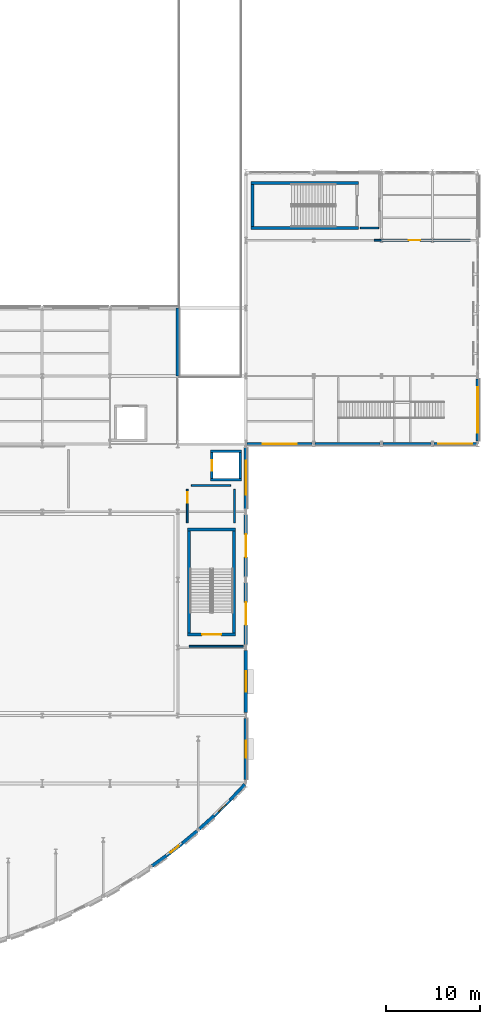
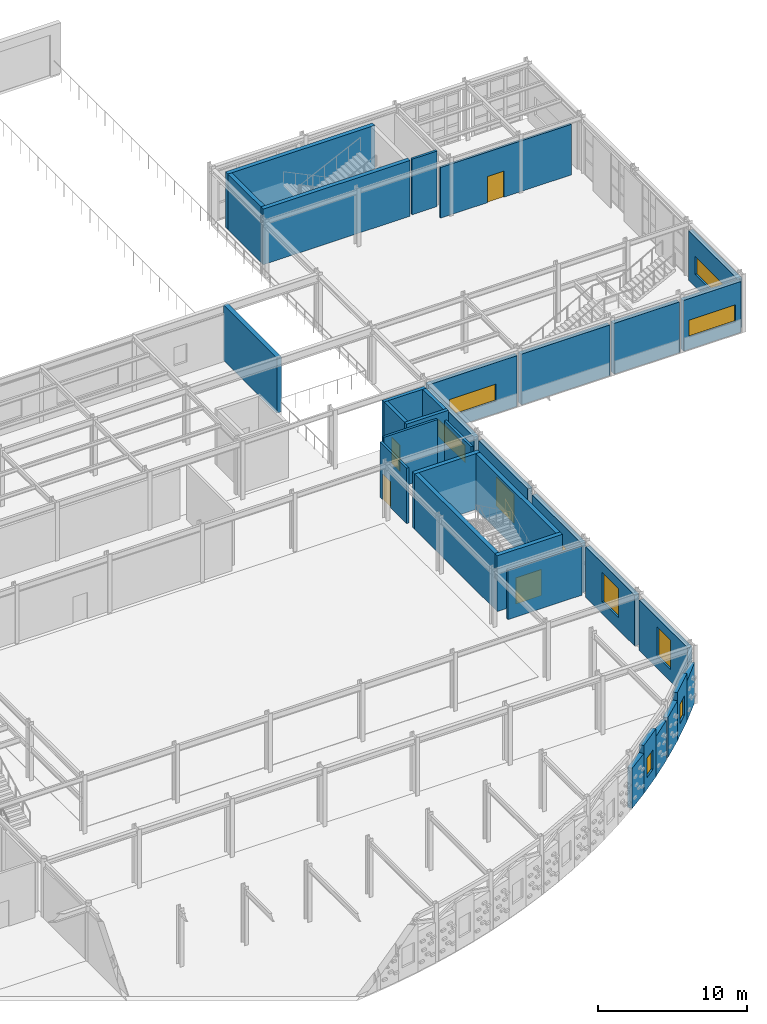
# One storey, part 64 of 83: 34 walls, 8 windows, 6 doors, 14 openings.
"""IFC4 building model written with IfcOpenShell, lengths in metres."""

from ifc_helpers import new_model, si_unit, direction, frame, frame_2d, origin, place, context, subcontext, project, spatial, rectangle, extrude, material, layer, layer_set, type_object, element, fill, save


model = new_model("IFC4")

# Units and contexts
model_context = context("Model", 3, precision=1e-05, world=origin(), true_north=direction((0.0, 1.0)))
body_context = subcontext(model_context, "Body", "Model", "MODEL_VIEW")
ifc_project = project(units=[si_unit("LENGTHUNIT", "METRE"), si_unit("AREAUNIT", "SQUARE_METRE"), si_unit("VOLUMEUNIT", "CUBIC_METRE"), si_unit("PLANEANGLEUNIT", "RADIAN"), si_unit("MASSUNIT", "GRAM", prefix="KILO")], contexts=[model_context])

# Site, building, storey
site_placement = place(None, origin())
site = spatial("IfcSite", under=ifc_project, at=site_placement, CompositionType="ELEMENT")
building_placement = place(site_placement, origin())
building = spatial("IfcBuilding", under=site, at=building_placement, Name="Solvadek Multi-Sports Hall", CompositionType="ELEMENT")
storey_placement = place(building_placement, origin())
storey = spatial("IfcBuildingStorey", under=building, at=storey_placement, Name="L00", CompositionType="ELEMENT", Elevation=0.0)

# Wall
ifc_material_1 = material(Name="Fired Deccan terracotta brick masonry", Category="masonry")
ifc_layer_1 = layer(ifc_material_1, 0.35009765625, Name="Fired Deccan terracotta brick masonry")
ifc_layer_set_1 = layer_set([ifc_layer_1], Name="Fired Deccan terracotta brick masonry")
wall_type_1 = type_object("IfcWallType", Name="ENV-WAL-EXT350", PredefinedType="SOLIDWALL", material=ifc_layer_set_1)
wall_1_placement = place(storey_placement, frame((126.84521484375, -2.76708984375, 0.0), z_axis=(0.0, 0.0, 1.0), x_axis=(0.812075803568, 0.583551959348, 0.0)))
element("IfcWall", 1, at=wall_1_placement, inside=storey, type_object=wall_type_1, Name="L00 Crescent Terracotta Brick Base Wall #123", PredefinedType="SOLIDWALL", context=body_context, shape_type="SweptSolid", body=[
    extrude(rectangle(XDim=1.91455078125, YDim=0.35009765625, at=frame_2d((0.957275390625, 0.0))), origin(), (0.0, 0.0, 1.0), 3.300048828125),
])

# Wall, opening, window
wall_2_placement = place(storey_placement, frame((128.39990234375, -1.64990234375, 0.0), z_axis=(0.0, 0.0, 1.0), x_axis=(0.790501249198, 0.612460427307, 0.0)))
wall_2 = element("IfcWall", 2, at=wall_2_placement, inside=storey, type_object=wall_type_1, Name="L00 Crescent Terracotta Brick Base Wall #124", PredefinedType="SOLIDWALL", context=body_context, shape_type="SweptSolid", body=[
    extrude(rectangle(XDim=2.12548828125, YDim=0.35009765625, at=frame_2d((1.062744140625, 0.0))), origin(), (0.0, 0.0, 1.0), 3.949951171875),
])
opening_1_placement = place(wall_2_placement, frame((0.5126953125, 0.0, 0.949951171875)))
opening_1 = element("IfcOpeningElement", 3, at=opening_1_placement, cuts=wall_2, Name="Opening WN-25", PredefinedType="OPENING", context=body_context, shape_type="SweptSolid", body=[
    extrude(rectangle(XDim=1.10009765625, YDim=1.60009765625, at=frame_2d((0.550048828125, 0.800048828125))), frame((0.0, 0.18505859375, 0.0), z_axis=(0.0, -1.0, 0.0), x_axis=(1.0, 0.0, 0.0)), (0.0, 0.0, 1.0), 0.3701171875),
])
ifc_material_2 = material(Name="Tempered laminated low-E glass", Category="glass")
window_type_1 = type_object("IfcWindowType", Name="ENV-WIN-WN-25", PartitioningType="SINGLE_PANEL", PredefinedType="WINDOW", material=ifc_material_2)
window_1_placement = place(opening_1_placement, origin())
window_1 = element("IfcWindow", 4, at=window_1_placement, inside=storey, type_object=window_type_1, Name="L00 Crescent Deep-Set Window #18", OverallHeight=1.60009765625, OverallWidth=1.10009765625, PartitioningType="SINGLE_PANEL", PredefinedType="WINDOW", context=body_context, shape_type="SweptSolid", body=[
    extrude(rectangle(XDim=1.10009765625, YDim=1.60009765625, at=frame_2d((0.550048828125, 0.800048828125))), frame((0.0, 0.030029296875, 0.0), z_axis=(0.0, -1.0, 0.0), x_axis=(1.0, 0.0, 0.0)), (0.0, 0.0, 1.0), 0.06005859375),
])
fill(opening_1, window_1)

# Walls
wall_3_placement = place(storey_placement, frame((130.080078125, -0.34814453125, 0.0), z_axis=(0.0, 0.0, 1.0), x_axis=(0.767207774393, 0.641398652096, 0.0)))
element("IfcWall", 5, at=wall_3_placement, inside=storey, type_object=wall_type_1, Name="L00 Crescent Terracotta Brick Base Wall #125", PredefinedType="SOLIDWALL", context=body_context, shape_type="SweptSolid", body=[
    extrude(rectangle(XDim=2.03564453125, YDim=0.35009765625, at=frame_2d((1.017822265625, 0.0))), origin(), (0.0, 0.0, 1.0), 3.300048828125),
])
wall_4_placement = place(storey_placement, frame((131.874267578125, 1.159423828125, 0.0), z_axis=(0.0, 0.0, 1.0), x_axis=(0.742124924621, 0.670261587931, 0.0)))
element("IfcWall", 6, at=wall_4_placement, inside=storey, type_object=wall_type_1, Name="L00 Crescent Terracotta Brick Base Wall #126", PredefinedType="SOLIDWALL", context=body_context, shape_type="SweptSolid", body=[
    extrude(rectangle(XDim=2.109619140625, YDim=0.35009765625, at=frame_2d((1.0546875, 0.0))), origin(), (0.0, 0.0, 1.0), 3.300048828125),
])

# Wall, opening, window
wall_5_placement = place(storey_placement, frame((133.43994140625, 2.573486328125, 0.0), z_axis=(0.0, 0.0, 1.0), x_axis=(0.715062067837, 0.699060969545, 0.0)))
wall_5 = element("IfcWall", 7, at=wall_5_placement, inside=storey, type_object=wall_type_1, Name="L00 Crescent Terracotta Brick Base Wall #127", PredefinedType="SOLIDWALL", context=body_context, shape_type="SweptSolid", body=[
    extrude(rectangle(XDim=2.349609375, YDim=0.35009765625, at=frame_2d((1.1748046875, 0.0))), origin(), (0.0, 0.0, 1.0), 3.949951171875),
])
opening_2_placement = place(wall_5_placement, frame((0.624755859375, 0.0, 0.949951171875)))
opening_2 = element("IfcOpeningElement", 8, at=opening_2_placement, cuts=wall_5, Name="Opening WN-25", PredefinedType="OPENING", context=body_context, shape_type="SweptSolid", body=[
    extrude(rectangle(XDim=1.10009765625, YDim=1.60009765625, at=frame_2d((0.550048828125, 0.800048828125))), frame((0.0, 0.18505859375, 0.0), z_axis=(0.0, -1.0, 0.0), x_axis=(1.0, 0.0, 0.0)), (0.0, 0.0, 1.0), 0.3701171875),
])
window_2_placement = place(opening_2_placement, origin())
window_2 = element("IfcWindow", 9, at=window_2_placement, inside=storey, type_object=window_type_1, Name="L00 Crescent Deep-Set Window #19", OverallHeight=1.60009765625, OverallWidth=1.10009765625, PartitioningType="SINGLE_PANEL", PredefinedType="WINDOW", context=body_context, shape_type="SweptSolid", body=[
    extrude(rectangle(XDim=1.10009765625, YDim=1.60009765625, at=frame_2d((0.550048828125, 0.800048828125))), frame((0.0, 0.030029296875, 0.0), z_axis=(0.0, -1.0, 0.0), x_axis=(1.0, 0.0, 0.0)), (0.0, 0.0, 1.0), 0.06005859375),
])
fill(opening_2, window_2)

# Wall
wall_6_placement = place(storey_placement, frame((135.1201171875, 4.216064453125, 0.0), z_axis=(0.0, 0.0, 1.0), x_axis=(0.685523863622, 0.728050157891, 0.0)))
element("IfcWall", 10, at=wall_6_placement, inside=storey, type_object=wall_type_1, Name="L00 Crescent Terracotta Brick Base Wall #128", PredefinedType="SOLIDWALL", context=body_context, shape_type="SweptSolid", body=[
    extrude(rectangle(XDim=2.29638671875, YDim=0.35009765625, at=frame_2d((1.148193359375, 0.0))), origin(), (0.0, 0.0, 1.0), 3.300048828125),
])

# Wall, opening, window
wall_7_placement = place(storey_placement, frame((136.800048828125, 6.404052734375, 0.0), z_axis=(0.0, 0.0, 1.0), x_axis=(0.0, 1.0, 0.0)))
wall_7 = element("IfcWall", 11, at=wall_7_placement, inside=storey, type_object=wall_type_1, Name="L00 Exterior Masonry Wall #230", PredefinedType="SOLIDWALL", context=body_context, shape_type="SweptSolid", body=[
    extrude(rectangle(XDim=6.491943359375, YDim=0.35009765625, at=frame_2d((3.24609375, 0.0))), origin(), (0.0, 0.0, 1.0), 4.1650390625),
])
opening_3_placement = place(wall_7_placement, frame((2.2958984375, 0.0, 1.0)))
opening_3 = element("IfcOpeningElement", 12, at=opening_3_placement, cuts=wall_7, Name="Opening WN-17", PredefinedType="OPENING", context=body_context, shape_type="SweptSolid", body=[
    extrude(rectangle(XDim=1.800048828125, YDim=2.39990234375, at=frame_2d((0.89990234375, 1.199951171875))), frame((0.0, 0.18505859375, 0.0), z_axis=(0.0, -1.0, 0.0), x_axis=(1.0, 0.0, 0.0)), (0.0, 0.0, 1.0), 0.3701171875),
])
window_type_2 = type_object("IfcWindowType", Name="ENV-WIN-WN-17", PartitioningType="SINGLE_PANEL", PredefinedType="WINDOW", material=ifc_material_2)
window_3_placement = place(opening_3_placement, origin())
window_3 = element("IfcWindow", 13, at=window_3_placement, inside=storey, type_object=window_type_2, Name="L00 Facade Window WN-17 #88", OverallHeight=2.39990234375, OverallWidth=1.800048828125, PartitioningType="SINGLE_PANEL", PredefinedType="WINDOW", context=body_context, shape_type="SweptSolid", body=[
    extrude(rectangle(XDim=1.800048828125, YDim=2.39990234375, at=frame_2d((0.89990234375, 1.199951171875))), frame((0.0, 0.030029296875, 0.0), z_axis=(0.0, -1.0, 0.0), x_axis=(1.0, 0.0, 0.0)), (0.0, 0.0, 1.0), 0.06005859375),
])
fill(opening_3, window_3)

wall_8_placement = place(storey_placement, frame((136.800048828125, 13.50390625, 0.0), z_axis=(0.0, 0.0, 1.0), x_axis=(0.0, 1.0, 0.0)))
wall_8 = element("IfcWall", 14, at=wall_8_placement, inside=storey, type_object=wall_type_1, Name="L00 Exterior Masonry Wall #233", PredefinedType="SOLIDWALL", context=body_context, shape_type="SweptSolid", body=[
    extrude(rectangle(XDim=6.592041015625, YDim=0.35009765625, at=frame_2d((3.2958984375, 0.0))), origin(), (0.0, 0.0, 1.0), 4.1650390625),
])
opening_4_placement = place(wall_8_placement, frame((2.196044921875, 0.0, 1.0)))
opening_4 = element("IfcOpeningElement", 15, at=opening_4_placement, cuts=wall_8, Name="Opening WN-18", PredefinedType="OPENING", context=body_context, shape_type="SweptSolid", body=[
    extrude(rectangle(XDim=2.199951171875, YDim=2.39990234375, at=frame_2d((1.10009765625, 1.199951171875))), frame((0.0, 0.18505859375, 0.0), z_axis=(0.0, -1.0, 0.0), x_axis=(1.0, 0.0, 0.0)), (0.0, 0.0, 1.0), 0.3701171875),
])
window_type_3 = type_object("IfcWindowType", Name="ENV-WIN-WN-18", PartitioningType="SINGLE_PANEL", PredefinedType="WINDOW", material=ifc_material_2)
window_4_placement = place(opening_4_placement, origin())
window_4 = element("IfcWindow", 16, at=window_4_placement, inside=storey, type_object=window_type_3, Name="L00 Facade Window WN-18 #91", OverallHeight=2.39990234375, OverallWidth=2.199951171875, PartitioningType="SINGLE_PANEL", PredefinedType="WINDOW", context=body_context, shape_type="SweptSolid", body=[
    extrude(rectangle(XDim=2.199951171875, YDim=2.39990234375, at=frame_2d((1.10009765625, 1.199951171875))), frame((0.0, 0.030029296875, 0.0), z_axis=(0.0, -1.0, 0.0), x_axis=(1.0, 0.0, 0.0)), (0.0, 0.0, 1.0), 0.06005859375),
])
fill(opening_4, window_4)

# Wall, opening, door
wall_9_placement = place(storey_placement, frame((136.800048828125, 20.7041015625, 0.0), z_axis=(0.0, 0.0, 1.0), x_axis=(0.0, 1.0, 0.0)))
wall_9 = element("IfcWall", 17, at=wall_9_placement, inside=storey, type_object=wall_type_1, Name="L00 Exterior Masonry Wall #236", PredefinedType="SOLIDWALL", context=body_context, shape_type="SweptSolid", body=[
    extrude(rectangle(XDim=6.591796875, YDim=0.35009765625, at=frame_2d((3.2958984375, 0.0))), origin(), (0.0, 0.0, 1.0), 4.06494140625),
])
opening_5_placement = place(wall_9_placement, frame((2.095947265625, 0.0, 0.0)))
opening_5 = element("IfcOpeningElement", 18, at=opening_5_placement, cuts=wall_9, Name="Opening D-EX12", PredefinedType="OPENING", context=body_context, shape_type="SweptSolid", body=[
    extrude(rectangle(XDim=2.39990234375, YDim=2.39990234375, at=frame_2d((1.199951171875, 1.199951171875))), frame((0.0, 0.18505859375, 0.0), z_axis=(0.0, -1.0, 0.0), x_axis=(1.0, 0.0, 0.0)), (0.0, 0.0, 1.0), 0.3701171875),
])
ifc_material_3 = material(Name="Anodised aluminium", Category="aluminium")
door_type_1 = type_object("IfcDoorType", Name="ENV-DOR-EX240X240", OperationType="DOUBLE_DOOR_SINGLE_SWING", PredefinedType="DOOR", material=ifc_material_3)
door_1_placement = place(opening_5_placement, frame((2.39990234375, 0.0, 0.0), z_axis=(0.0, 0.0, 1.0), x_axis=(-1.0, 0.0, 0.0)))
door_1 = element("IfcDoor", 19, at=door_1_placement, inside=storey, type_object=door_type_1, Name="Stair ST-05 Final Exit Door D-EX12", OperationType="DOUBLE_DOOR_SINGLE_SWING", OverallHeight=2.39990234375, OverallWidth=2.39990234375, PredefinedType="DOOR", context=body_context, shape_type="SweptSolid", body=[
    extrude(rectangle(XDim=2.39990234375, YDim=2.39990234375, at=frame_2d((1.199951171875, 1.199951171875))), frame((0.0, 0.02490234375, 0.0), z_axis=(0.0, -1.0, 0.0), x_axis=(1.0, 0.0, 0.0)), (0.0, 0.0, 1.0), 0.050048828125),
])
fill(opening_5, door_1)

wall_10_placement = place(storey_placement, frame((136.800048828125, 27.904052734375, 0.0), z_axis=(0.0, 0.0, 1.0), x_axis=(0.0, 1.0, 0.0)))
wall_10 = element("IfcWall", 20, at=wall_10_placement, inside=storey, type_object=wall_type_1, Name="L00 Exterior Masonry Wall #239", PredefinedType="SOLIDWALL", context=body_context, shape_type="SweptSolid", body=[
    extrude(rectangle(XDim=6.592041015625, YDim=0.35009765625, at=frame_2d((3.2958984375, 0.0))), origin(), (0.0, 0.0, 1.0), 4.1650390625),
])
opening_6_placement = place(wall_10_placement, frame((2.095947265625, 0.0, 0.0)))
opening_6 = element("IfcOpeningElement", 21, at=opening_6_placement, cuts=wall_10, Name="Opening D-EX13", PredefinedType="OPENING", context=body_context, shape_type="SweptSolid", body=[
    extrude(rectangle(XDim=2.39990234375, YDim=2.39990234375, at=frame_2d((1.199951171875, 1.199951171875))), frame((0.0, 0.18505859375, 0.0), z_axis=(0.0, -1.0, 0.0), x_axis=(1.0, 0.0, 0.0)), (0.0, 0.0, 1.0), 0.3701171875),
])
door_2_placement = place(opening_6_placement, frame((2.39990234375, 0.0, 0.0), z_axis=(0.0, 0.0, 1.0), x_axis=(-1.0, 0.0, 0.0)))
door_2 = element("IfcDoor", 22, at=door_2_placement, inside=storey, type_object=door_type_1, Name="Arena East Final Exit Door D-EX13", OperationType="DOUBLE_DOOR_SINGLE_SWING", OverallHeight=2.39990234375, OverallWidth=2.39990234375, PredefinedType="DOOR", context=body_context, shape_type="SweptSolid", body=[
    extrude(rectangle(XDim=2.39990234375, YDim=2.39990234375, at=frame_2d((1.199951171875, 1.199951171875))), frame((0.0, 0.02490234375, 0.0), z_axis=(0.0, -1.0, 0.0), x_axis=(1.0, 0.0, 0.0)), (0.0, 0.0, 1.0), 0.050048828125),
])
fill(opening_6, door_2)

# Wall, opening, window
wall_11_placement = place(storey_placement, frame((136.800048828125, 35.10400390625, 0.0), z_axis=(0.0, 0.0, 1.0), x_axis=(0.0, 1.0, 0.0)))
wall_11 = element("IfcWall", 23, at=wall_11_placement, inside=storey, type_object=wall_type_1, Name="L00 Exterior Masonry Wall #242", PredefinedType="SOLIDWALL", context=body_context, shape_type="SweptSolid", body=[
    extrude(rectangle(XDim=6.491943359375, YDim=0.35009765625, at=frame_2d((3.24609375, 0.0))), origin(), (0.0, 0.0, 1.0), 4.06494140625),
])
opening_7_placement = place(wall_11_placement, frame((1.49609375, 0.0, 1.0)))
opening_7 = element("IfcOpeningElement", 24, at=opening_7_placement, cuts=wall_11, Name="Opening WN-21", PredefinedType="OPENING", context=body_context, shape_type="SweptSolid", body=[
    extrude(rectangle(XDim=3.60009765625, YDim=1.39990234375, at=frame_2d((1.800048828125, 0.699951171875))), frame((0.0, 0.18505859375, 0.0), z_axis=(0.0, -1.0, 0.0), x_axis=(1.0, 0.0, 0.0)), (0.0, 0.0, 1.0), 0.3701171875),
])
window_type_4 = type_object("IfcWindowType", Name="ENV-WIN-WN-21", PartitioningType="SINGLE_PANEL", PredefinedType="WINDOW", material=ifc_material_2)
window_5_placement = place(opening_7_placement, origin())
window_5 = element("IfcWindow", 25, at=window_5_placement, inside=storey, type_object=window_type_4, Name="L00 Facade Window WN-21 #98", OverallHeight=1.39990234375, OverallWidth=3.60009765625, PartitioningType="SINGLE_PANEL", PredefinedType="WINDOW", context=body_context, shape_type="SweptSolid", body=[
    extrude(rectangle(XDim=3.60009765625, YDim=1.39990234375, at=frame_2d((1.800048828125, 0.699951171875))), frame((0.0, 0.030029296875, 0.0), z_axis=(0.0, -1.0, 0.0), x_axis=(1.0, 0.0, 0.0)), (0.0, 0.0, 1.0), 0.06005859375),
])
fill(opening_7, window_5)

# Wall
wall_12_placement = place(storey_placement, frame((129.60009765625, 49.199951171875, 0.0), z_axis=(0.0, 0.0, 1.0), x_axis=(0.0, 1.0, 0.0)))
element("IfcWall", 26, at=wall_12_placement, inside=storey, type_object=wall_type_1, Name="L00 Exterior Masonry Wall #252", PredefinedType="SOLIDWALL", context=body_context, shape_type="SweptSolid", body=[
    extrude(rectangle(XDim=7.199951171875, YDim=0.35009765625, at=frame_2d((3.60009765625, 0.0))), origin(), (0.0, 0.0, 1.0), 4.56005859375),
])

# Wall, opening, window
wall_13_placement = place(storey_placement, frame((136.9541015625, 42.0, 0.0), z_axis=(0.0, 0.0, 1.0), x_axis=(1.0, 0.0, 0.0)))
wall_13 = element("IfcWall", 27, at=wall_13_placement, inside=storey, type_object=wall_type_1, Name="L00 Exterior Masonry Wall #260", PredefinedType="SOLIDWALL", context=body_context, shape_type="SweptSolid", body=[
    extrude(rectangle(XDim=6.891845703125, YDim=0.35009765625, at=frame_2d((3.44580078125, 0.0))), origin(), (0.0, 0.0, 1.0), 4.1650390625),
])
opening_8_placement = place(wall_13_placement, frame((1.64599609375, 0.0, 1.0)))
opening_8 = element("IfcOpeningElement", 28, at=opening_8_placement, cuts=wall_13, Name="Opening WN-21", PredefinedType="OPENING", context=body_context, shape_type="SweptSolid", body=[
    extrude(rectangle(XDim=3.60009765625, YDim=1.39990234375, at=frame_2d((1.800048828125, 0.699951171875))), frame((0.0, 0.18505859375, 0.0), z_axis=(0.0, -1.0, 0.0), x_axis=(1.0, 0.0, 0.0)), (0.0, 0.0, 1.0), 0.3701171875),
])
window_6_placement = place(opening_8_placement, origin())
window_6 = element("IfcWindow", 29, at=window_6_placement, inside=storey, type_object=window_type_4, Name="L00 Facade Window WN-21 #113", OverallHeight=1.39990234375, OverallWidth=3.60009765625, PartitioningType="SINGLE_PANEL", PredefinedType="WINDOW", context=body_context, shape_type="SweptSolid", body=[
    extrude(rectangle(XDim=3.60009765625, YDim=1.39990234375, at=frame_2d((1.800048828125, 0.699951171875))), frame((0.0, 0.030029296875, 0.0), z_axis=(0.0, -1.0, 0.0), x_axis=(1.0, 0.0, 0.0)), (0.0, 0.0, 1.0), 0.06005859375),
])
fill(opening_8, window_6)

# Walls
wall_14_placement = place(storey_placement, frame((144.154052734375, 42.0, 0.0), z_axis=(0.0, 0.0, 1.0), x_axis=(1.0, 0.0, 0.0)))
element("IfcWall", 30, at=wall_14_placement, inside=storey, type_object=wall_type_1, Name="L00 Exterior Masonry Wall #264", PredefinedType="SOLIDWALL", context=body_context, shape_type="SweptSolid", body=[
    extrude(rectangle(XDim=6.891845703125, YDim=0.35009765625, at=frame_2d((3.44580078125, 0.0))), origin(), (0.0, 0.0, 1.0), 4.1650390625),
])
wall_15_placement = place(storey_placement, frame((151.35400390625, 42.0, 0.0), z_axis=(0.0, 0.0, 1.0), x_axis=(1.0, 0.0, 0.0)))
element("IfcWall", 31, at=wall_15_placement, inside=storey, type_object=wall_type_1, Name="L00 Exterior Masonry Wall #269", PredefinedType="SOLIDWALL", context=body_context, shape_type="SweptSolid", body=[
    extrude(rectangle(XDim=5.092041015625, YDim=0.35009765625, at=frame_2d((2.5458984375, 0.0))), origin(), (0.0, 0.0, 1.0), 4.1650390625),
])

# Wall, opening, window
wall_16_placement = place(storey_placement, frame((156.75390625, 42.0, 0.0), z_axis=(0.0, 0.0, 1.0), x_axis=(1.0, 0.0, 0.0)))
wall_16 = element("IfcWall", 32, at=wall_16_placement, inside=storey, type_object=wall_type_1, Name="L00 Exterior Masonry Wall #273", PredefinedType="SOLIDWALL", context=body_context, shape_type="SweptSolid", body=[
    extrude(rectangle(XDim=4.4921875, YDim=0.35009765625, at=frame_2d((2.24609375, 0.0))), origin(), (0.0, 0.0, 1.0), 4.1650390625),
])
opening_9_placement = place(wall_16_placement, frame((0.446044921875, 0.0, 1.0)))
opening_9 = element("IfcOpeningElement", 33, at=opening_9_placement, cuts=wall_16, Name="Opening WN-21", PredefinedType="OPENING", context=body_context, shape_type="SweptSolid", body=[
    extrude(rectangle(XDim=3.60009765625, YDim=1.39990234375, at=frame_2d((1.800048828125, 0.699951171875))), frame((0.0, 0.18505859375, 0.0), z_axis=(0.0, -1.0, 0.0), x_axis=(1.0, 0.0, 0.0)), (0.0, 0.0, 1.0), 0.3701171875),
])
window_7_placement = place(opening_9_placement, origin())
window_7 = element("IfcWindow", 34, at=window_7_placement, inside=storey, type_object=window_type_4, Name="L00 Facade Window WN-21 #117", OverallHeight=1.39990234375, OverallWidth=3.60009765625, PartitioningType="SINGLE_PANEL", PredefinedType="WINDOW", context=body_context, shape_type="SweptSolid", body=[
    extrude(rectangle(XDim=3.60009765625, YDim=1.39990234375, at=frame_2d((1.800048828125, 0.699951171875))), frame((0.0, 0.030029296875, 0.0), z_axis=(0.0, -1.0, 0.0), x_axis=(1.0, 0.0, 0.0)), (0.0, 0.0, 1.0), 0.06005859375),
])
fill(opening_9, window_7)

wall_17_placement = place(storey_placement, frame((161.39990234375, 42.303955078125, 0.0), z_axis=(0.0, 0.0, 1.0), x_axis=(0.0, 1.0, 0.0)))
wall_17 = element("IfcWall", 35, at=wall_17_placement, inside=storey, type_object=wall_type_1, Name="L00 Exterior Masonry Wall #277", PredefinedType="SOLIDWALL", context=body_context, shape_type="SweptSolid", body=[
    extrude(rectangle(XDim=6.592041015625, YDim=0.35009765625, at=frame_2d((3.2958984375, 0.0))), origin(), (0.0, 0.0, 1.0), 4.06494140625),
])
opening_10_placement = place(wall_17_placement, frame((0.89599609375, 0.0, 1.0)))
opening_10 = element("IfcOpeningElement", 36, at=opening_10_placement, cuts=wall_17, Name="Opening WN-23", PredefinedType="OPENING", context=body_context, shape_type="SweptSolid", body=[
    extrude(rectangle(XDim=4.800048828125, YDim=1.5, at=frame_2d((2.39990234375, 0.75))), frame((0.0, 0.18505859375, 0.0), z_axis=(0.0, -1.0, 0.0), x_axis=(1.0, 0.0, 0.0)), (0.0, 0.0, 1.0), 0.3701171875),
])
window_type_5 = type_object("IfcWindowType", Name="ENV-WIN-WN-23", PartitioningType="SINGLE_PANEL", PredefinedType="WINDOW", material=ifc_material_2)
window_8_placement = place(opening_10_placement, origin())
window_8 = element("IfcWindow", 37, at=window_8_placement, inside=storey, type_object=window_type_5, Name="L00 Facade Window WN-23 #118", OverallHeight=1.5, OverallWidth=4.800048828125, PartitioningType="SINGLE_PANEL", PredefinedType="WINDOW", context=body_context, shape_type="SweptSolid", body=[
    extrude(rectangle(XDim=4.800048828125, YDim=1.5, at=frame_2d((2.39990234375, 0.75))), frame((0.0, 0.030029296875, 0.0), z_axis=(0.0, -1.0, 0.0), x_axis=(1.0, 0.0, 0.0)), (0.0, 0.0, 1.0), 0.06005859375),
])
fill(opening_10, window_8)

# Wall
ifc_material_4 = material(Name="Autoclaved aerated concrete blockwork", Category="masonry")
ifc_layer_2 = layer(ifc_material_4, 0.179931640625, Name="Autoclaved aerated concrete blockwork")
ifc_layer_set_2 = layer_set([ifc_layer_2], Name="Autoclaved aerated concrete blockwork")
wall_type_2 = type_object("IfcWallType", Name="INT-WAL-PRT180", PredefinedType="PARTITIONING", material=ifc_layer_set_2)
wall_18_placement = place(storey_placement, frame((131.02001953125, 37.60009765625, 0.0), z_axis=(0.0, 0.0, 1.0), x_axis=(1.0, 0.0, 0.0)))
element("IfcWall", 38, at=wall_18_placement, inside=storey, type_object=wall_type_2, Name="L00 Partition Wall L00-05 N", PredefinedType="PARTITIONING", context=body_context, shape_type="SweptSolid", body=[
    extrude(rectangle(XDim=4.159912109375, YDim=0.179931640625, at=frame_2d((2.080078125, 0.0))), origin(), (0.0, 0.0, 1.0), 4.56494140625),
])

# Wall, opening, door
wall_19_placement = place(storey_placement, frame((130.60009765625, 33.6201171875, 0.0), z_axis=(0.0, 0.0, 1.0), x_axis=(0.0, 1.0, 0.0)))
wall_19 = element("IfcWall", 39, at=wall_19_placement, inside=storey, type_object=wall_type_2, Name="L00 Partition Wall L00-05 W", PredefinedType="PARTITIONING", context=body_context, shape_type="SweptSolid", body=[
    extrude(rectangle(XDim=3.559814453125, YDim=0.179931640625, at=frame_2d((1.77978515625, 0.0))), origin(), (0.0, 0.0, 1.0), 4.56494140625),
])
opening_11_placement = place(wall_19_placement, frame((2.14990234375, 0.0, 0.0)))
opening_11 = element("IfcOpeningElement", 40, at=opening_11_placement, cuts=wall_19, Name="Opening FD60", PredefinedType="OPENING", context=body_context, shape_type="SweptSolid", body=[
    extrude(rectangle(XDim=1.10009765625, YDim=2.14990234375, at=frame_2d((0.550048828125, 1.074951171875))), frame((0.0, 0.099853515625, 0.0), z_axis=(0.0, -1.0, 0.0), x_axis=(1.0, 0.0, 0.0)), (0.0, 0.0, 1.0), 0.199951171875),
])
ifc_material_5 = material(Name="Steel E250 (250 MPa)", Category="steel")
door_type_2 = type_object("IfcDoorType", Name="INT-DOR-FD110X215", OperationType="NOTDEFINED", PredefinedType="DOOR", material=ifc_material_5)
door_3_placement = place(opening_11_placement, frame((1.10009765625, 0.0, 0.0), z_axis=(0.0, 0.0, 1.0), x_axis=(-1.0, 0.0, 0.0)))
door_3 = element("IfcDoor", 41, at=door_3_placement, inside=storey, type_object=door_type_2, Name="L00 L00-05 Door #1", OperationType="SINGLE_SWING_RIGHT", OverallHeight=2.14990234375, OverallWidth=1.10009765625, PredefinedType="DOOR", context=body_context, shape_type="SweptSolid", body=[
    extrude(rectangle(XDim=1.10009765625, YDim=2.14990234375, at=frame_2d((0.550048828125, 1.074951171875))), frame((0.0, 0.02490234375, 0.0), z_axis=(0.0, -1.0, 0.0), x_axis=(1.0, 0.0, 0.0)), (0.0, 0.0, 1.0), 0.050048828125),
])
fill(opening_11, door_3)

# Wall
wall_20_placement = place(storey_placement, frame((135.60009765625, 33.6201171875, 0.0), z_axis=(0.0, 0.0, 1.0), x_axis=(0.0, 1.0, 0.0)))
element("IfcWall", 42, at=wall_20_placement, inside=storey, type_object=wall_type_2, Name="L00 Partition Wall L00-05 E", PredefinedType="PARTITIONING", context=body_context, shape_type="SweptSolid", body=[
    extrude(rectangle(XDim=3.559814453125, YDim=0.179931640625, at=frame_2d((1.77978515625, 0.0))), origin(), (0.0, 0.0, 1.0), 4.56494140625),
])

# Wall, opening, door
wall_21_placement = place(storey_placement, frame((150.419921875, 63.60009765625, 0.0), z_axis=(0.0, 0.0, 1.0), x_axis=(1.0, 0.0, 0.0)))
wall_21 = element("IfcWall", 43, at=wall_21_placement, inside=storey, type_object=wall_type_2, Name="L00 Partition Wall L00-09 S", PredefinedType="PARTITIONING", context=body_context, shape_type="SweptSolid", body=[
    extrude(rectangle(XDim=10.16015625, YDim=0.179931640625, at=frame_2d((5.080078125, 0.0))), origin(), (0.0, 0.0, 1.0), 4.159912109375),
])
opening_12_placement = place(wall_21_placement, frame((3.655029296875, 0.0, 0.0)))
opening_12 = element("IfcOpeningElement", 44, at=opening_12_placement, cuts=wall_21, Name="Opening FD60B", PredefinedType="OPENING", context=body_context, shape_type="SweptSolid", body=[
    extrude(rectangle(XDim=1.25, YDim=2.14990234375, at=frame_2d((0.625, 1.074951171875))), frame((0.0, 0.099853515625, 0.0), z_axis=(0.0, -1.0, 0.0), x_axis=(1.0, 0.0, 0.0)), (0.0, 0.0, 1.0), 0.199951171875),
])
door_type_3 = type_object("IfcDoorType", Name="INT-DOR-FD125X215", OperationType="NOTDEFINED", PredefinedType="DOOR", material=ifc_material_5)
door_4_placement = place(opening_12_placement, origin())
door_4 = element("IfcDoor", 45, at=door_4_placement, inside=storey, type_object=door_type_3, Name="L00 L00-09 Door #25", OperationType="SINGLE_SWING_RIGHT", OverallHeight=2.14990234375, OverallWidth=1.25, PredefinedType="DOOR", context=body_context, shape_type="SweptSolid", body=[
    extrude(rectangle(XDim=1.25, YDim=2.14990234375, at=frame_2d((0.625, 1.074951171875))), frame((0.0, 0.02490234375, 0.0), z_axis=(0.0, -1.0, 0.0), x_axis=(1.0, 0.0, 0.0)), (0.0, 0.0, 1.0), 0.050048828125),
])
fill(opening_12, door_4)

# Walls
wall_22_placement = place(storey_placement, frame((130.800048828125, 20.550048828125, 0.0), z_axis=(0.0, 0.0, 1.0), x_axis=(1.0, 0.0, 0.0)))
element("IfcWall", 46, at=wall_22_placement, inside=storey, type_object=wall_type_2, Name="L00 Protected Exit Discharge Wall st05-dis-s", PredefinedType="PARTITIONING", context=body_context, shape_type="SweptSolid", body=[
    extrude(rectangle(XDim=5.75, YDim=0.179931640625, at=frame_2d((2.875, 0.0))), origin(), (0.0, 0.0, 1.0), 4.06005859375),
])
wall_23_placement = place(storey_placement, frame((148.9599609375, 64.89990234375, 0.0), z_axis=(0.0, 0.0, 1.0), x_axis=(1.0, 0.0, 0.0)))
element("IfcWall", 47, at=wall_23_placement, inside=storey, type_object=wall_type_2, Name="L00 Protected Exit Discharge Wall st06-dis-s", PredefinedType="PARTITIONING", context=body_context, shape_type="SweptSolid", body=[
    extrude(rectangle(XDim=1.93994140625, YDim=0.179931640625, at=frame_2d((0.969970703125, 0.0))), origin(), (0.0, 0.0, 1.0), 4.56494140625),
])
ifc_material_6 = material(Name="Concrete M40", Category="concrete")
ifc_layer_3 = layer(ifc_material_6, 0.260009765625, Name="Concrete M40")
ifc_layer_set_3 = layer_set([ifc_layer_3], Name="Concrete M40")
wall_type_3 = type_object("IfcWallType", Name="INT-WAL-SHR260", PredefinedType="SHEAR", material=ifc_layer_set_3)
for number, where, z_axis, x_axis, name in (
    (48, (133.070068359375, 38.199951171875, 0.0), (0.0, 0.0, 1.0), (1.0, 0.0, 0.0), "Lift LP-03 Shaft Shear Wall L00 south"),
    (49, (133.070068359375, 41.199951171875, 0.0), (0.0, 0.0, 1.0), (1.0, 0.0, 0.0), "Lift LP-03 Shaft Shear Wall L00 north"),
):
    element("IfcWall", number, at=place(storey_placement, frame(where, z_axis=z_axis, x_axis=x_axis)), inside=storey, type_object=wall_type_3, Name=name, PredefinedType="SHEAR", context=body_context, shape_type="SweptSolid", body=[
        extrude(rectangle(XDim=3.260009765625, YDim=0.260009765625, at=frame_2d((1.6298828125, 0.0))), origin(), (0.0, 0.0, 1.0), 4.580078125),
    ])

# Wall, opening, door
wall_24_placement = place(storey_placement, frame((133.199951171875, 38.330078125, 0.0), z_axis=(0.0, 0.0, 1.0), x_axis=(0.0, 1.0, 0.0)))
wall_24 = element("IfcWall", 50, at=wall_24_placement, inside=storey, type_object=wall_type_3, Name="Lift LP-03 Shaft Shear Wall L00 west", PredefinedType="SHEAR", context=body_context, shape_type="SweptSolid", body=[
    extrude(rectangle(XDim=2.739990234375, YDim=0.260009765625, at=frame_2d((1.3701171875, 0.0))), origin(), (0.0, 0.0, 1.0), 4.580078125),
])
opening_13_placement = place(wall_24_placement, frame((0.820068359375, 0.0, 0.0)))
opening_13 = element("IfcOpeningElement", 51, at=opening_13_placement, cuts=wall_24, Name="Opening LD-21", PredefinedType="OPENING", context=body_context, shape_type="SweptSolid", body=[
    extrude(rectangle(XDim=1.10009765625, YDim=2.14990234375, at=frame_2d((0.550048828125, 1.074951171875))), frame((0.0, 0.139892578125, 0.0), z_axis=(0.0, -1.0, 0.0), x_axis=(1.0, 0.0, 0.0)), (0.0, 0.0, 1.0), 0.280029296875),
])
door_type_4 = type_object("IfcDoorType", Name="INT-DOR-LD110X215", OperationType="DOUBLE_DOOR_SLIDING", PredefinedType="DOOR", material=ifc_material_3)
door_5_placement = place(opening_13_placement, origin())
door_5 = element("IfcDoor", 52, at=door_5_placement, inside=storey, type_object=door_type_4, Name="L00 Lift LP-03 Sliding Landing Door LD-21", OperationType="DOUBLE_DOOR_SLIDING", OverallHeight=2.14990234375, OverallWidth=1.10009765625, PredefinedType="DOOR", context=body_context, shape_type="SweptSolid", body=[
    extrude(rectangle(XDim=1.10009765625, YDim=2.14990234375, at=frame_2d((0.550048828125, 1.074951171875))), frame((0.0, 0.02490234375, 0.0), z_axis=(0.0, -1.0, 0.0), x_axis=(1.0, 0.0, 0.0)), (0.0, 0.0, 1.0), 0.050048828125),
])
fill(opening_13, door_5)

# Wall
wall_25_placement = place(storey_placement, frame((136.199951171875, 38.330078125, 0.0), z_axis=(0.0, 0.0, 1.0), x_axis=(0.0, 1.0, 0.0)))
element("IfcWall", 53, at=wall_25_placement, inside=storey, type_object=wall_type_3, Name="Lift LP-03 Shaft Shear Wall L00 east", PredefinedType="SHEAR", context=body_context, shape_type="SweptSolid", body=[
    extrude(rectangle(XDim=2.739990234375, YDim=0.260009765625, at=frame_2d((1.3701171875, 0.0))), origin(), (0.0, 0.0, 1.0), 4.580078125),
])

# Wall, opening, door
ifc_layer_4 = layer(ifc_material_6, 0.320068359375, Name="Concrete M40")
ifc_layer_set_4 = layer_set([ifc_layer_4], Name="Concrete M40")
wall_type_4 = type_object("IfcWallType", Name="INT-WAL-SHR320", PredefinedType="SHEAR", material=ifc_layer_set_4)
wall_26_placement = place(storey_placement, frame((130.639892578125, 21.800048828125, 0.0), z_axis=(0.0, 0.0, 1.0), x_axis=(1.0, 0.0, 0.0)))
wall_26 = element("IfcWall", 54, at=wall_26_placement, inside=storey, type_object=wall_type_4, Name="L00 Stair ST-05 Shear Wall S", PredefinedType="SHEAR", context=body_context, shape_type="SweptSolid", body=[
    extrude(rectangle(XDim=5.070068359375, YDim=0.320068359375, at=frame_2d((2.53515625, 0.0))), origin(), (0.0, 0.0, 1.0), 4.580078125),
])
opening_14_placement = place(wall_26_placement, frame((1.534912109375, 0.0, 0.0)))
opening_14 = element("IfcOpeningElement", 55, at=opening_14_placement, cuts=wall_26, Name="Opening FD120", PredefinedType="OPENING", context=body_context, shape_type="SweptSolid", body=[
    extrude(rectangle(XDim=2.0, YDim=2.14990234375, at=frame_2d((1.0, 1.074951171875))), frame((0.0, 0.169921875, 0.0), z_axis=(0.0, -1.0, 0.0), x_axis=(1.0, 0.0, 0.0)), (0.0, 0.0, 1.0), 0.340087890625),
])
door_type_5 = type_object("IfcDoorType", Name="INT-DOR-FD200X215", OperationType="DOUBLE_DOOR_SINGLE_SWING", PredefinedType="DOOR", material=ifc_material_5)
door_6_placement = place(opening_14_placement, origin())
door_6 = element("IfcDoor", 56, at=door_6_placement, inside=storey, type_object=door_type_5, Name="L00 Stair ST-05 Fire Door", OperationType="DOUBLE_DOOR_SINGLE_SWING", OverallHeight=2.14990234375, OverallWidth=2.0, PredefinedType="DOOR", context=body_context, shape_type="SweptSolid", body=[
    extrude(rectangle(XDim=2.0, YDim=2.14990234375, at=frame_2d((1.0, 1.074951171875))), frame((0.0, 0.02490234375, 0.0), z_axis=(0.0, -1.0, 0.0), x_axis=(1.0, 0.0, 0.0)), (0.0, 0.0, 1.0), 0.050048828125),
])
fill(opening_14, door_6)

# Walls
wall_27_placement = place(storey_placement, frame((130.639892578125, 32.89990234375, 0.0), z_axis=(0.0, 0.0, 1.0), x_axis=(1.0, 0.0, 0.0)))
element("IfcWall", 57, at=wall_27_placement, inside=storey, type_object=wall_type_4, Name="L00 Stair ST-05 Shear Wall N", PredefinedType="SHEAR", context=body_context, shape_type="SweptSolid", body=[
    extrude(rectangle(XDim=5.070068359375, YDim=0.320068359375, at=frame_2d((2.53515625, 0.0))), origin(), (0.0, 0.0, 1.0), 4.580078125),
])
for number, where, z_axis, x_axis, name in (
    (58, (130.800048828125, 21.9599609375, 0.0), (0.0, 0.0, 1.0), (0.0, 1.0, 0.0), "L00 Stair ST-05 Shear Wall W"),
    (59, (135.550048828125, 21.9599609375, 0.0), (0.0, 0.0, 1.0), (0.0, 1.0, 0.0), "L00 Stair ST-05 Shear Wall E"),
):
    element("IfcWall", number, at=place(storey_placement, frame(where, z_axis=z_axis, x_axis=x_axis)), inside=storey, type_object=wall_type_4, Name=name, PredefinedType="SHEAR", context=body_context, shape_type="SweptSolid", body=[
        extrude(rectangle(XDim=10.780029296875, YDim=0.320068359375, at=frame_2d((5.39013671875, 0.0))), origin(), (0.0, 0.0, 1.0), 4.580078125),
    ])
for number, where, z_axis, x_axis, name in (
    (60, (137.340087890625, 64.89990234375, 0.0), (0.0, 0.0, 1.0), (1.0, 0.0, 0.0), "L00 Stair ST-06 Shear Wall S"),
    (61, (137.340087890625, 69.64990234375, 0.0), (0.0, 0.0, 1.0), (1.0, 0.0, 0.0), "L00 Stair ST-06 Shear Wall N"),
):
    element("IfcWall", number, at=place(storey_placement, frame(where, z_axis=z_axis, x_axis=x_axis)), inside=storey, type_object=wall_type_4, Name=name, PredefinedType="SHEAR", context=body_context, shape_type="SweptSolid", body=[
        extrude(rectangle(XDim=11.419921875, YDim=0.320068359375, at=frame_2d((5.7099609375, 0.0))), origin(), (0.0, 0.0, 1.0), 4.580078125),
    ])
wall_28_placement = place(storey_placement, frame((137.5, 65.06005859375, 0.0), z_axis=(0.0, 0.0, 1.0), x_axis=(0.0, 1.0, 0.0)))
element("IfcWall", 62, at=wall_28_placement, inside=storey, type_object=wall_type_4, Name="L00 Stair ST-06 Shear Wall W", PredefinedType="SHEAR", context=body_context, shape_type="SweptSolid", body=[
    extrude(rectangle(XDim=4.429931640625, YDim=0.320068359375, at=frame_2d((2.21484375, 0.0))), origin(), (0.0, 0.0, 1.0), 4.580078125),
])

save(model, "model.ifc")
